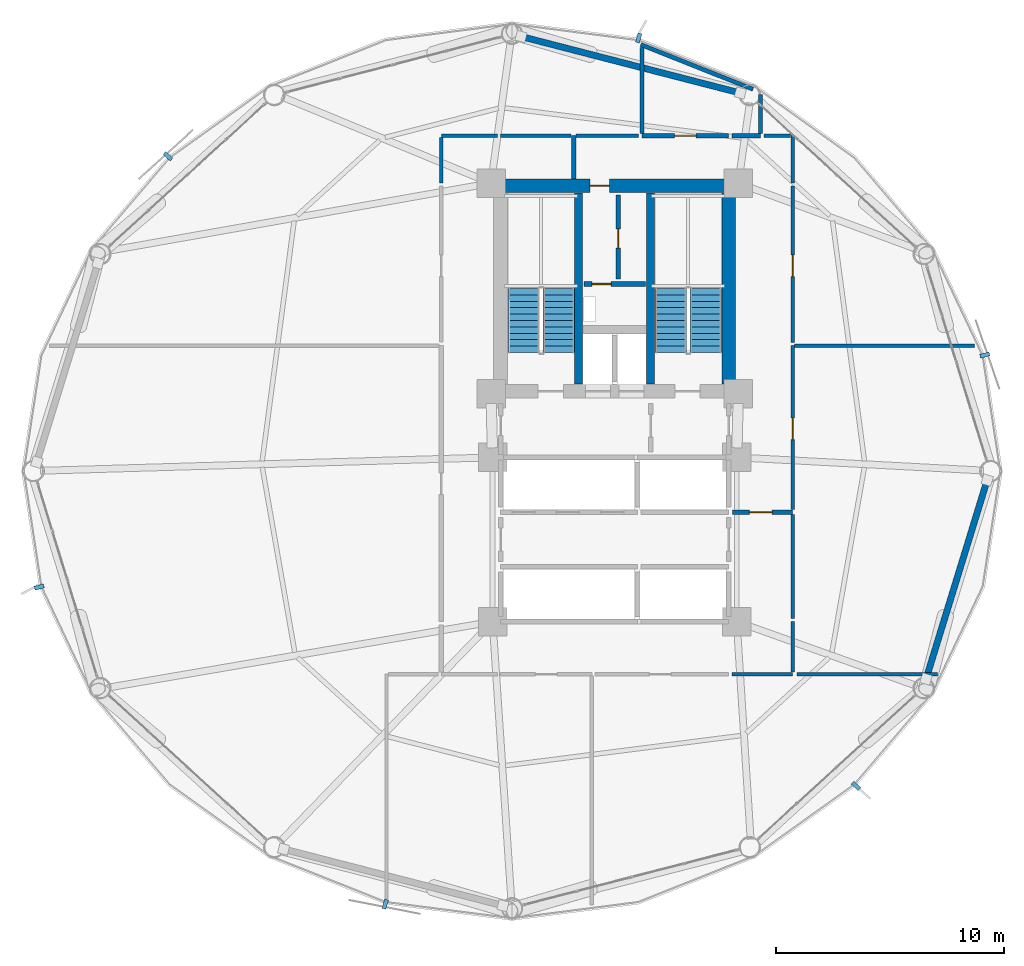
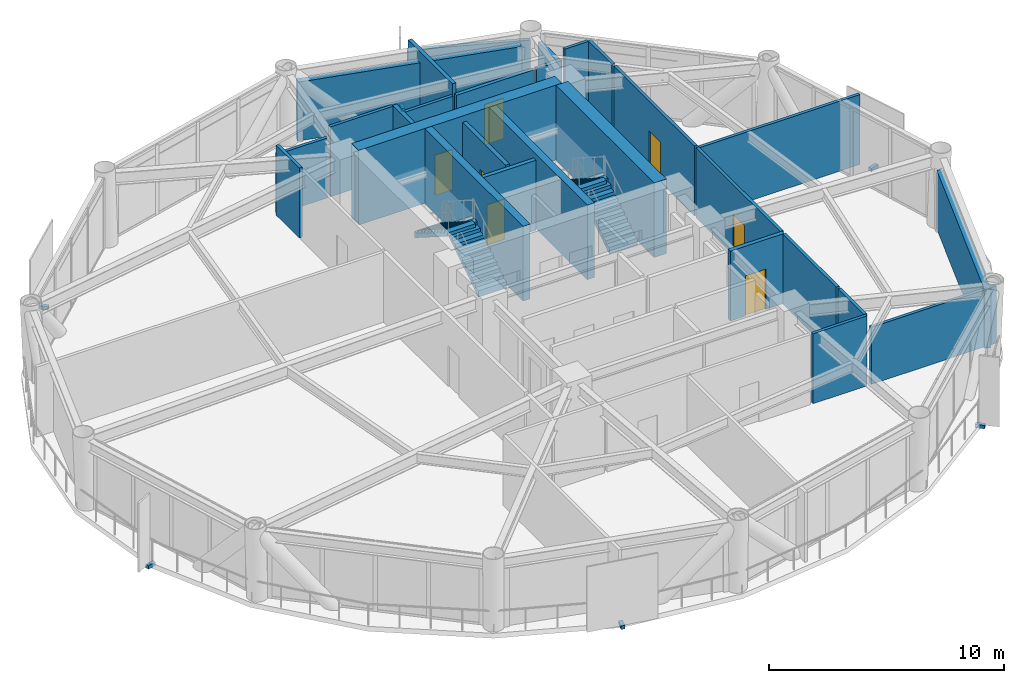
# One storey, part 23 of 26: 28 walls, 7 doors, 6 discrete accessories, 4 stair flights, 7 openings, 2 elements without a shape of their own.
"""IFC4 building model written with IfcOpenShell, lengths in metres."""

from ifc_helpers import new_model, si_unit, direction, frame, frame_2d, origin, origin_2d, place, context, subcontext, project, spatial, polyline, rectangle, outline, extrude, source, transform, mapped, material, layer, layer_set, type_object, type_shapes, element, fill, aggregate, save


model = new_model("IFC4")

# Units and contexts
model_context = context("Model", 3, precision=1e-05, world=origin(), true_north=direction((0.0, 1.0)))
body_context = subcontext(model_context, "Body", "Model", "MODEL_VIEW")
ifc_project = project(units=[si_unit("LENGTHUNIT", "METRE"), si_unit("AREAUNIT", "SQUARE_METRE"), si_unit("VOLUMEUNIT", "CUBIC_METRE"), si_unit("PLANEANGLEUNIT", "RADIAN"), si_unit("MASSUNIT", "GRAM", prefix="KILO")], contexts=[model_context])

# Site, building, storey
site_placement = place(None, origin())
site = spatial("IfcSite", under=ifc_project, at=site_placement, CompositionType="ELEMENT")
building_placement = place(site_placement, origin())
building = spatial("IfcBuilding", under=site, at=building_placement, Name="Varnakorn Sky Granary", CompositionType="ELEMENT")
storey_placement = place(building_placement, frame((0.0, 0.0, 47.10009765625)))
storey = spatial("IfcBuildingStorey", under=building, at=storey_placement, Name="L11", CompositionType="ELEMENT", Elevation=47.10009765625)

# Walls
ifc_material_1 = material(Name="Concrete C50/60", Category="concrete")
ifc_layer_1 = layer(ifc_material_1, 0.35009765625, Name="Concrete C50/60")
ifc_layer_set_1 = layer_set([ifc_layer_1], Name="Concrete C50/60")
wall_type_1 = type_object("IfcWallType", Name="WT-CW-INT-350", PredefinedType="SHEAR", material=ifc_layer_set_1)
for number, where, z_axis, x_axis, name in (
    (1, (1.419921875, 3.81005859375, 0.0), (0.0, 0.0, 1.0), (0.0, 1.0, 0.0), "Stair ST-1 Core Wall L11"),
    (2, (4.580078125, 3.81005859375, 0.0), (0.0, 0.0, 1.0), (0.0, 1.0, 0.0), "Stair ST-2 Core Wall L11"),
):
    element("IfcWall", number, at=place(storey_placement, frame(where, z_axis=z_axis, x_axis=x_axis)), inside=storey, type_object=wall_type_1, Name=name, PredefinedType="SHEAR", context=body_context, shape_type="SweptSolid", body=[
        extrude(rectangle(XDim=8.3798828125, YDim=0.35009765625, at=frame_2d((4.18994140625, 0.0))), origin(), (0.0, 0.0, 1.0), 3.891845703125),
    ])

# Wall, opening, door
ifc_material_2 = material(Name="Concrete C60/75", Category="concrete")
ifc_layer_2 = layer(ifc_material_2, 0.60009765625, Name="Concrete C60/75")
ifc_layer_set_2 = layer_set([ifc_layer_2], Name="Concrete C60/75")
wall_type_2 = type_object("IfcWallType", Name="WT-CW-SHEAR-600", PredefinedType="SHEAR", material=ifc_layer_set_2)
wall_1_placement = place(storey_placement, frame((-2.0, 12.5, 0.0), z_axis=(0.0, 0.0, 1.0), x_axis=(1.0, 0.0, 0.0)))
wall_1 = element("IfcWall", 3, at=wall_1_placement, inside=storey, type_object=wall_type_2, Name="Core North Shear Wall L11", PredefinedType="SHEAR", context=body_context, shape_type="SweptSolid", body=[
    extrude(rectangle(XDim=10.0, YDim=0.60009765625, at=frame_2d((5.0, 0.0))), origin(), (0.0, 0.0, 1.0), 3.891845703125),
])
opening_1_placement = place(wall_1_placement, frame((3.919921875, 0.0, 0.0)))
opening_1 = element("IfcOpeningElement", 4, at=opening_1_placement, cuts=wall_1, Name="Opening FD-60N", PredefinedType="OPENING", context=body_context, shape_type="SweptSolid", body=[
    extrude(rectangle(XDim=0.85009765625, YDim=2.10009765625, at=frame_2d((0.425048828125, 1.050048828125))), frame((0.0, 0.31005859375, 0.0), z_axis=(0.0, -1.0, 0.0), x_axis=(1.0, 0.0, 0.0)), (0.0, 0.0, 1.0), 0.6201171875),
])
ifc_material_3 = material(Name="Acoustic Timber Fire Leaf", Category="wood")
door_type_1 = type_object("IfcDoorType", Name="DR-FD60-850", OperationType="NOTDEFINED", PredefinedType="DOOR", material=ifc_material_3)
door_1_placement = place(opening_1_placement, origin())
door_1 = element("IfcDoor", 5, at=door_1_placement, inside=storey, type_object=door_type_1, Name="Core North Service Door L11", OperationType="SINGLE_SWING_LEFT", OverallHeight=2.10009765625, OverallWidth=0.85009765625, PredefinedType="DOOR", context=body_context, shape_type="SweptSolid", body=[
    extrude(rectangle(XDim=0.85009765625, YDim=2.10009765625, at=frame_2d((0.425048828125, 1.050048828125))), frame((0.0, 0.02490234375, 0.0), z_axis=(0.0, -1.0, 0.0), x_axis=(1.0, 0.0, 0.0)), (0.0, 0.0, 1.0), 0.050048828125),
])
fill(opening_1, door_1)

# Walls
wall_2_placement = place(storey_placement, frame((8.0, 3.81005859375, 0.0), z_axis=(0.0, 0.0, 1.0), x_axis=(0.0, 1.0, 0.0)))
element("IfcWall", 6, at=wall_2_placement, inside=storey, type_object=wall_type_2, Name="Core East Shear Wall L11", PredefinedType="SHEAR", context=body_context, shape_type="SweptSolid", body=[
    extrude(rectangle(XDim=8.3798828125, YDim=0.60009765625, at=frame_2d((4.18994140625, 0.0))), origin(), (0.0, 0.0, 1.0), 3.891845703125),
])
ifc_material_4 = material(Name="Precast concrete C40/50", Category="concrete")
ifc_layer_3 = layer(ifc_material_4, 0.280029296875, Name="Precast concrete C40/50")
ifc_layer_set_3 = layer_set([ifc_layer_3], Name="Precast concrete C40/50")
wall_type_3 = type_object("IfcWallType", Name="WT-EW-CRN-280", PredefinedType="SOLIDWALL", material=ifc_layer_set_3)
wall_3_placement = place(storey_placement, frame((-1.10107421875, 19.047119140625, 0.0), z_axis=(0.0, 0.0, 1.0), x_axis=(0.968352741178, -0.249585593843, 0.0)))
element("IfcWall", 7, at=wall_3_placement, inside=storey, type_object=wall_type_3, Name="Agritech Insulated Precast Facade Wall L11-P03", PredefinedType="SOLIDWALL", context=body_context, shape_type="SweptSolid", body=[
    extrude(rectangle(XDim=9.923583984375, YDim=0.280029296875, at=frame_2d((4.9619140625, 0.0))), origin(), (0.0, 0.0, 1.0), 3.059814453125),
])
wall_4_placement = place(storey_placement, frame((19.328857421875, -0.393798828125, 0.0), z_axis=(0.0, 0.0, 1.0), x_axis=(-0.293918478213, -0.955830491335, 0.0)))
element("IfcWall", 8, at=wall_4_placement, inside=storey, type_object=wall_type_3, Name="Agritech Insulated Precast Facade Wall L11-P12", PredefinedType="SOLIDWALL", context=body_context, shape_type="SweptSolid", body=[
    extrude(rectangle(XDim=9.123046875, YDim=0.280029296875, at=frame_2d((4.5615234375, 0.0))), origin(), (0.0, 0.0, 1.0), 3.059814453125),
])

# Wall, opening, door
ifc_material_5 = material(Name="Autoclaved Aerated Concrete Blockwork", Category="masonry")
ifc_layer_4 = layer(ifc_material_5, 0.199951171875, Name="Autoclaved Aerated Concrete Blockwork")
ifc_layer_set_4 = layer_set([ifc_layer_4], Name="Autoclaved Aerated Concrete Blockwork")
wall_type_4 = type_object("IfcWallType", Name="WT-FIRE-200", PredefinedType="MOVABLE", material=ifc_layer_set_4)
wall_5_placement = place(storey_placement, frame((1.64990234375, 8.199951171875, 0.0), z_axis=(0.0, 0.0, 1.0), x_axis=(1.0, 0.0, 0.0)))
wall_5 = element("IfcWall", 9, at=wall_5_placement, inside=storey, type_object=wall_type_4, Name="Interior Partition Wall L11-015", PredefinedType="MOVABLE", context=body_context, shape_type="SweptSolid", body=[
    extrude(rectangle(XDim=2.7001953125, YDim=0.199951171875, at=frame_2d((1.35009765625, 0.0))), origin(), (0.0, 0.0, 1.0), 3.639892578125),
])
opening_2_placement = place(wall_5_placement, frame((0.35009765625, 0.0, 0.0)))
opening_2 = element("IfcOpeningElement", 10, at=opening_2_placement, cuts=wall_5, Name="Opening FD-60N", PredefinedType="OPENING", context=body_context, shape_type="SweptSolid", body=[
    extrude(rectangle(XDim=0.85009765625, YDim=2.10009765625, at=frame_2d((0.425048828125, 1.050048828125))), frame((0.0, 0.10986328125, 0.0), z_axis=(0.0, -1.0, 0.0), x_axis=(1.0, 0.0, 0.0)), (0.0, 0.0, 1.0), 0.219970703125),
])
door_2_placement = place(opening_2_placement, origin())
door_2 = element("IfcDoor", 11, at=door_2_placement, inside=storey, type_object=door_type_1, Name="Interior Door L11-015-1", OperationType="SINGLE_SWING_RIGHT", OverallHeight=2.10009765625, OverallWidth=0.85009765625, PredefinedType="DOOR", context=body_context, shape_type="SweptSolid", body=[
    extrude(rectangle(XDim=0.85009765625, YDim=2.10009765625, at=frame_2d((0.425048828125, 1.050048828125))), frame((0.0, 0.02490234375, 0.0), z_axis=(0.0, -1.0, 0.0), x_axis=(1.0, 0.0, 0.0)), (0.0, 0.0, 1.0), 0.050048828125),
])
fill(opening_2, door_2)

wall_6_placement = place(storey_placement, frame((3.14990234375, 8.429931640625, 0.0), z_axis=(0.0, 0.0, 1.0), x_axis=(0.0, 1.0, 0.0)))
wall_6 = element("IfcWall", 12, at=wall_6_placement, inside=storey, type_object=wall_type_4, Name="Interior Partition Wall L11-016", PredefinedType="MOVABLE", context=body_context, shape_type="SweptSolid", body=[
    extrude(rectangle(XDim=3.670166015625, YDim=0.199951171875, at=frame_2d((1.8349609375, 0.0))), origin(), (0.0, 0.0, 1.0), 3.639892578125),
])
opening_3_placement = place(wall_6_placement, frame((1.340087890625, 0.0, 0.0)))
opening_3 = element("IfcOpeningElement", 13, at=opening_3_placement, cuts=wall_6, Name="Opening FD-60N", PredefinedType="OPENING", context=body_context, shape_type="SweptSolid", body=[
    extrude(rectangle(XDim=0.85009765625, YDim=2.10009765625, at=frame_2d((0.425048828125, 1.050048828125))), frame((0.0, 0.10986328125, 0.0), z_axis=(0.0, -1.0, 0.0), x_axis=(1.0, 0.0, 0.0)), (0.0, 0.0, 1.0), 0.219970703125),
])
door_3_placement = place(opening_3_placement, origin())
door_3 = element("IfcDoor", 14, at=door_3_placement, inside=storey, type_object=door_type_1, Name="Interior Door L11-016-1", OperationType="SINGLE_SWING_LEFT", OverallHeight=2.10009765625, OverallWidth=0.85009765625, PredefinedType="DOOR", context=body_context, shape_type="SweptSolid", body=[
    extrude(rectangle(XDim=0.85009765625, YDim=2.10009765625, at=frame_2d((0.425048828125, 1.050048828125))), frame((0.0, 0.02490234375, 0.0), z_axis=(0.0, -1.0, 0.0), x_axis=(1.0, 0.0, 0.0)), (0.0, 0.0, 1.0), 0.050048828125),
])
fill(opening_3, door_3)

wall_7_placement = place(storey_placement, frame((8.159912109375, -1.800048828125, 0.0), z_axis=(0.0, 0.0, 1.0), x_axis=(1.0, 0.0, 0.0)))
wall_7 = element("IfcWall", 15, at=wall_7_placement, inside=storey, type_object=wall_type_4, Name="Interior Partition Wall L11-022", PredefinedType="MOVABLE", context=body_context, shape_type="SweptSolid", body=[
    extrude(rectangle(XDim=2.64013671875, YDim=0.199951171875, at=frame_2d((1.320068359375, 0.0))), origin(), (0.0, 0.0, 1.0), 3.639892578125),
])
opening_4_placement = place(wall_7_placement, frame((0.739990234375, 0.0, 0.0)))
opening_4 = element("IfcOpeningElement", 16, at=opening_4_placement, cuts=wall_7, Name="Opening FD-60", PredefinedType="OPENING", context=body_context, shape_type="SweptSolid", body=[
    extrude(rectangle(XDim=1.0, YDim=2.10009765625, at=frame_2d((0.5, 1.050048828125))), frame((0.0, 0.10986328125, 0.0), z_axis=(0.0, -1.0, 0.0), x_axis=(1.0, 0.0, 0.0)), (0.0, 0.0, 1.0), 0.219970703125),
])
door_type_2 = type_object("IfcDoorType", Name="DR-FD60-1000", OperationType="NOTDEFINED", PredefinedType="DOOR", material=ifc_material_3)
door_4_placement = place(opening_4_placement, origin())
door_4 = element("IfcDoor", 17, at=door_4_placement, inside=storey, type_object=door_type_2, Name="Interior Door L11-022-1", OperationType="SINGLE_SWING_LEFT", OverallHeight=2.10009765625, OverallWidth=1.0, PredefinedType="DOOR", context=body_context, shape_type="SweptSolid", body=[
    extrude(rectangle(XDim=1.0, YDim=2.10009765625, at=frame_2d((0.5, 1.050048828125))), frame((0.0, 0.02490234375, 0.0), z_axis=(0.0, -1.0, 0.0), x_axis=(1.0, 0.0, 0.0)), (0.0, 0.0, 1.0), 0.050048828125),
])
fill(opening_4, door_4)

# Wall
wall_8_placement = place(storey_placement, frame((1.199951171875, 14.699951171875, 0.0), z_axis=(0.0, 0.0, 1.0), x_axis=(0.0, -1.0, 0.0)))
element("IfcWall", 18, at=wall_8_placement, inside=storey, type_object=wall_type_4, Name="Interior Partition Wall L11-031", PredefinedType="MOVABLE", context=body_context, shape_type="SweptSolid", body=[
    extrude(rectangle(XDim=1.889892578125, YDim=0.199951171875, at=frame_2d((0.94482421875, 0.0))), origin(), (0.0, 0.0, 1.0), 3.639892578125),
])

# Wall, opening, door
ifc_material_6 = material(Name="Gypsum Plasterboard on Steel Stud", Category="steel")
ifc_layer_5 = layer(ifc_material_6, 0.14990234375, Name="Gypsum Plasterboard on Steel Stud")
ifc_layer_set_5 = layer_set([ifc_layer_5], Name="Gypsum Plasterboard on Steel Stud")
wall_type_5 = type_object("IfcWallType", Name="WT-PART-150", PredefinedType="PARTITIONING", material=ifc_layer_set_5)
wall_9_placement = place(storey_placement, frame((10.800048828125, -1.68994140625, 0.0), z_axis=(0.0, 0.0, 1.0), x_axis=(0.0, 1.0, 0.0)))
wall_9 = element("IfcWall", 19, at=wall_9_placement, inside=storey, type_object=wall_type_5, Name="Interior Partition Wall L11-027", PredefinedType="PARTITIONING", context=body_context, shape_type="SweptSolid", body=[
    extrude(rectangle(XDim=7.18994140625, YDim=0.14990234375, at=frame_2d((3.594970703125, 0.0))), origin(), (0.0, 0.0, 1.0), 3.639892578125),
])
opening_5_placement = place(wall_9_placement, frame((3.06494140625, 0.0, 0.0)))
opening_5 = element("IfcOpeningElement", 20, at=opening_5_placement, cuts=wall_9, Name="Opening ID-95", PredefinedType="OPENING", context=body_context, shape_type="SweptSolid", body=[
    extrude(rectangle(XDim=0.949951171875, YDim=2.10009765625, at=frame_2d((0.47509765625, 1.050048828125))), frame((0.0, 0.0849609375, 0.0), z_axis=(0.0, -1.0, 0.0), x_axis=(1.0, 0.0, 0.0)), (0.0, 0.0, 1.0), 0.169921875),
])
ifc_material_7 = material(Name="Solid-Core Teak Veneer Leaf", Category="timber")
door_type_3 = type_object("IfcDoorType", Name="DR-INT-950", OperationType="NOTDEFINED", PredefinedType="DOOR", material=ifc_material_7)
door_5_placement = place(opening_5_placement, origin())
door_5 = element("IfcDoor", 21, at=door_5_placement, inside=storey, type_object=door_type_3, Name="Interior Door L11-027-1", OperationType="SINGLE_SWING_RIGHT", OverallHeight=2.10009765625, OverallWidth=0.949951171875, PredefinedType="DOOR", context=body_context, shape_type="SweptSolid", body=[
    extrude(rectangle(XDim=0.949951171875, YDim=2.10009765625, at=frame_2d((0.47509765625, 1.050048828125))), frame((0.0, 0.02490234375, 0.0), z_axis=(0.0, -1.0, 0.0), x_axis=(1.0, 0.0, 0.0)), (0.0, 0.0, 1.0), 0.050048828125),
])
fill(opening_5, door_5)

wall_10_placement = place(storey_placement, frame((10.800048828125, 5.635009765625, 0.0), z_axis=(0.0, 0.0, 1.0), x_axis=(0.0, 1.0, 0.0)))
wall_10 = element("IfcWall", 22, at=wall_10_placement, inside=storey, type_object=wall_type_5, Name="Interior Partition Wall L11-029", PredefinedType="PARTITIONING", context=body_context, shape_type="SweptSolid", body=[
    extrude(rectangle(XDim=6.864990234375, YDim=0.14990234375, at=frame_2d((3.4326171875, 0.0))), origin(), (0.0, 0.0, 1.0), 3.639892578125),
])
opening_6_placement = place(wall_10_placement, frame((2.889892578125, 0.0, 0.0)))
opening_6 = element("IfcOpeningElement", 23, at=opening_6_placement, cuts=wall_10, Name="Opening ID-95", PredefinedType="OPENING", context=body_context, shape_type="SweptSolid", body=[
    extrude(rectangle(XDim=0.949951171875, YDim=2.10009765625, at=frame_2d((0.47509765625, 1.050048828125))), frame((0.0, 0.0849609375, 0.0), z_axis=(0.0, -1.0, 0.0), x_axis=(1.0, 0.0, 0.0)), (0.0, 0.0, 1.0), 0.169921875),
])
door_6_placement = place(opening_6_placement, origin())
door_6 = element("IfcDoor", 24, at=door_6_placement, inside=storey, type_object=door_type_3, Name="Interior Door L11-029-1", OperationType="SINGLE_SWING_RIGHT", OverallHeight=2.10009765625, OverallWidth=0.949951171875, PredefinedType="DOOR", context=body_context, shape_type="SweptSolid", body=[
    extrude(rectangle(XDim=0.949951171875, YDim=2.10009765625, at=frame_2d((0.47509765625, 1.050048828125))), frame((0.0, 0.02490234375, 0.0), z_axis=(0.0, -1.0, 0.0), x_axis=(1.0, 0.0, 0.0)), (0.0, 0.0, 1.0), 0.050048828125),
])
fill(opening_6, door_6)

# Walls
wall_11_placement = place(storey_placement, frame((8.135009765625, -8.89990234375, 0.0), z_axis=(0.0, 0.0, 1.0), x_axis=(1.0, 0.0, 0.0)))
element("IfcWall", 25, at=wall_11_placement, inside=storey, type_object=wall_type_5, Name="Interior Partition Wall L11-037", PredefinedType="PARTITIONING", context=body_context, shape_type="SweptSolid", body=[
    extrude(rectangle(XDim=2.6650390625, YDim=0.14990234375, at=frame_2d((1.33251953125, 0.0))), origin(), (0.0, 0.0, 1.0), 3.639892578125),
])
wall_12_placement = place(storey_placement, frame((11.0, -8.89990234375, 0.0), z_axis=(0.0, 0.0, 1.0), x_axis=(1.0, 0.0, 0.0)))
element("IfcWall", 26, at=wall_12_placement, inside=storey, type_object=wall_type_5, Name="Interior Partition Wall L11-038", PredefinedType="PARTITIONING", context=body_context, shape_type="SweptSolid", body=[
    extrude(rectangle(XDim=6.156005859375, YDim=0.14990234375, at=frame_2d((3.078125, 0.0))), origin(), (0.0, 0.0, 1.0), 2.971923828125),
])
wall_13_placement = place(storey_placement, frame((10.800048828125, -8.81494140625, 0.0), z_axis=(0.0, 0.0, 1.0), x_axis=(0.0, 1.0, 0.0)))
element("IfcWall", 27, at=wall_13_placement, inside=storey, type_object=wall_type_5, Name="Interior Partition Wall L11-041", PredefinedType="PARTITIONING", context=body_context, shape_type="SweptSolid", body=[
    extrude(rectangle(XDim=2.21484375, YDim=0.14990234375, at=frame_2d((1.107421875, 0.0))), origin(), (0.0, 0.0, 1.0), 3.639892578125),
])
wall_14_placement = place(storey_placement, frame((10.800048828125, -6.465087890625, 0.0), z_axis=(0.0, 0.0, 1.0), x_axis=(0.0, 1.0, 0.0)))
element("IfcWall", 28, at=wall_14_placement, inside=storey, type_object=wall_type_5, Name="Interior Partition Wall L11-042", PredefinedType="PARTITIONING", context=body_context, shape_type="SweptSolid", body=[
    extrude(rectangle(XDim=4.55517578125, YDim=0.14990234375, at=frame_2d((2.277587890625, 0.0))), origin(), (0.0, 0.0, 1.0), 3.639892578125),
])
wall_15_placement = place(storey_placement, frame((10.885009765625, 5.5, 0.0), z_axis=(0.0, 0.0, 1.0), x_axis=(1.0, 0.0, 0.0)))
element("IfcWall", 29, at=wall_15_placement, inside=storey, type_object=wall_type_5, Name="Interior Partition Wall L11-043", PredefinedType="PARTITIONING", context=body_context, shape_type="SweptSolid", body=[
    extrude(rectangle(XDim=7.882080078125, YDim=0.14990234375, at=frame_2d((3.94091796875, 0.0))), origin(), (0.0, 0.0, 1.0), 3.639892578125),
])
wall_16_placement = place(storey_placement, frame((1.090087890625, 14.699951171875, 0.0), z_axis=(0.0, 0.0, 1.0), x_axis=(-1.0, 0.0, 0.0)))
element("IfcWall", 30, at=wall_16_placement, inside=storey, type_object=wall_type_5, Name="Interior Partition Wall L11-044", PredefinedType="PARTITIONING", context=body_context, shape_type="SweptSolid", body=[
    extrude(rectangle(XDim=3.090087890625, YDim=0.14990234375, at=frame_2d((1.544921875, 0.0))), origin(), (0.0, 0.0, 1.0), 3.639892578125),
])
wall_17_placement = place(storey_placement, frame((-2.135009765625, 14.699951171875, 0.0), z_axis=(0.0, 0.0, 1.0), x_axis=(-1.0, 0.0, 0.0)))
element("IfcWall", 31, at=wall_17_placement, inside=storey, type_object=wall_type_5, Name="Interior Partition Wall L11-045", PredefinedType="PARTITIONING", context=body_context, shape_type="SweptSolid", body=[
    extrude(rectangle(XDim=2.465087890625, YDim=0.14990234375, at=frame_2d((1.232421875, 0.0))), origin(), (0.0, 0.0, 1.0), 3.121826171875),
])
wall_18_placement = place(storey_placement, frame((-4.60009765625, 14.614990234375, 0.0), z_axis=(0.0, 0.0, 1.0), x_axis=(0.0, -1.0, 0.0)))
element("IfcWall", 32, at=wall_18_placement, inside=storey, type_object=wall_type_5, Name="Interior Partition Wall L11-046", PredefinedType="PARTITIONING", context=body_context, shape_type="SweptSolid", body=[
    extrude(rectangle(XDim=1.97998046875, YDim=0.14990234375, at=frame_2d((0.989990234375, 0.0))), origin(), (0.0, 0.0, 1.0), 3.639892578125),
])
wall_19_placement = place(storey_placement, frame((4.050048828125, 14.699951171875, 0.0), z_axis=(0.0, 0.0, 1.0), x_axis=(-1.0, 0.0, 0.0)))
element("IfcWall", 33, at=wall_19_placement, inside=storey, type_object=wall_type_5, Name="Interior Partition Wall L11-047", PredefinedType="PARTITIONING", context=body_context, shape_type="SweptSolid", body=[
    extrude(rectangle(XDim=2.739990234375, YDim=0.14990234375, at=frame_2d((1.3701171875, 0.0))), origin(), (0.0, 0.0, 1.0), 3.121826171875),
])
wall_20_placement = place(storey_placement, frame((10.800048828125, 12.635009765625, 0.0), z_axis=(0.0, 0.0, 1.0), x_axis=(0.0, 1.0, 0.0)))
element("IfcWall", 34, at=wall_20_placement, inside=storey, type_object=wall_type_5, Name="Interior Partition Wall L11-050", PredefinedType="PARTITIONING", context=body_context, shape_type="SweptSolid", body=[
    extrude(rectangle(XDim=2.06494140625, YDim=0.14990234375, at=frame_2d((1.032470703125, 0.0))), origin(), (0.0, 0.0, 1.0), 3.639892578125),
])
wall_21_placement = place(storey_placement, frame((10.715087890625, 14.699951171875, 0.0), z_axis=(0.0, 0.0, 1.0), x_axis=(-1.0, 0.0, 0.0)))
element("IfcWall", 35, at=wall_21_placement, inside=storey, type_object=wall_type_5, Name="Interior Partition Wall L11-051", PredefinedType="PARTITIONING", context=body_context, shape_type="SweptSolid", body=[
    extrude(rectangle(XDim=1.1650390625, YDim=0.14990234375, at=frame_2d((0.58251953125, 0.0))), origin(), (0.0, 0.0, 1.0), 3.639892578125),
])

# Wall, opening, door
ifc_material_8 = material(Name="Moisture-Resistant Gypsum on Stud", Category="gypsum")
ifc_layer_6 = layer(ifc_material_8, 0.179931640625, Name="Moisture-Resistant Gypsum on Stud")
ifc_layer_set_6 = layer_set([ifc_layer_6], Name="Moisture-Resistant Gypsum on Stud")
wall_type_6 = type_object("IfcWallType", Name="WT-PLUMB-180", PredefinedType="PLUMBINGWALL", material=ifc_layer_set_6)
wall_22_placement = place(storey_placement, frame((8.0, 14.699951171875, 0.0), z_axis=(0.0, 0.0, 1.0), x_axis=(-1.0, 0.0, 0.0)))
wall_22 = element("IfcWall", 36, at=wall_22_placement, inside=storey, type_object=wall_type_6, Name="Interior Partition Wall L11-023", PredefinedType="PLUMBINGWALL", context=body_context, shape_type="SweptSolid", body=[
    extrude(rectangle(XDim=3.800048828125, YDim=0.179931640625, at=frame_2d((1.89990234375, 0.0))), origin(), (0.0, 0.0, 1.0), 3.121826171875),
])
opening_7_placement = place(wall_22_placement, frame((1.425048828125, 0.0, 0.0)))
opening_7 = element("IfcOpeningElement", 37, at=opening_7_placement, cuts=wall_22, Name="Opening ID-95", PredefinedType="OPENING", context=body_context, shape_type="SweptSolid", body=[
    extrude(rectangle(XDim=0.949951171875, YDim=2.10009765625, at=frame_2d((0.47509765625, 1.050048828125))), frame((0.0, 0.10009765625, 0.0), z_axis=(0.0, -1.0, 0.0), x_axis=(1.0, 0.0, 0.0)), (0.0, 0.0, 1.0), 0.199951171875),
])
door_7_placement = place(opening_7_placement, origin())
door_7 = element("IfcDoor", 38, at=door_7_placement, inside=storey, type_object=door_type_3, Name="Interior Door L11-023-1", OperationType="SINGLE_SWING_RIGHT", OverallHeight=2.10009765625, OverallWidth=0.949951171875, PredefinedType="DOOR", context=body_context, shape_type="SweptSolid", body=[
    extrude(rectangle(XDim=0.949951171875, YDim=2.10009765625, at=frame_2d((0.47509765625, 1.050048828125))), frame((0.0, 0.02490234375, 0.0), z_axis=(0.0, -1.0, 0.0), x_axis=(1.0, 0.0, 0.0)), (0.0, 0.0, 1.0), 0.050048828125),
])
fill(opening_7, door_7)

# Walls
wall_23_placement = place(storey_placement, frame((9.39990234375, 14.699951171875, 0.0), z_axis=(0.0, 0.0, 1.0), x_axis=(-1.0, 0.0, 0.0)))
element("IfcWall", 39, at=wall_23_placement, inside=storey, type_object=wall_type_6, Name="Interior Partition Wall L11-032", PredefinedType="PLUMBINGWALL", context=body_context, shape_type="SweptSolid", body=[
    extrude(rectangle(XDim=1.25, YDim=0.179931640625, at=frame_2d((0.625, 0.0))), origin(), (0.0, 0.0, 1.0), 3.121826171875),
])
wall_24_placement = place(storey_placement, frame((4.14404296875, 18.69189453125, 0.0), z_axis=(0.0, 0.0, 1.0), x_axis=(0.929216081758, -0.369536836327, 0.0)))
element("IfcWall", 40, at=wall_24_placement, inside=storey, type_object=wall_type_6, Name="Interior Partition Wall L11-048", PredefinedType="PLUMBINGWALL", context=body_context, shape_type="SweptSolid", body=[
    extrude(rectangle(XDim=5.29248046875, YDim=0.179931640625, at=frame_2d((2.646240234375, 0.0))), origin(), (0.0, 0.0, 1.0), 3.072021484375),
])
wall_25_placement = place(storey_placement, frame((4.199951171875, 18.570068359375, 0.0), z_axis=(0.0, 0.0, 1.0), x_axis=(0.0, -1.0, 0.0)))
element("IfcWall", 41, at=wall_25_placement, inside=storey, type_object=wall_type_6, Name="Interior Partition Wall L11-049", PredefinedType="PLUMBINGWALL", context=body_context, shape_type="SweptSolid", body=[
    extrude(rectangle(XDim=3.77001953125, YDim=0.179931640625, at=frame_2d((1.885009765625, 0.0))), origin(), (0.0, 0.0, 1.0), 3.639892578125),
])
wall_26_placement = place(storey_placement, frame((9.39990234375, 14.800048828125, 0.0), z_axis=(0.0, 0.0, 1.0), x_axis=(0.0, 1.0, 0.0)))
element("IfcWall", 42, at=wall_26_placement, inside=storey, type_object=wall_type_6, Name="Interior Partition Wall L11-052", PredefinedType="PLUMBINGWALL", context=body_context, shape_type="SweptSolid", body=[
    extrude(rectangle(XDim=1.695068359375, YDim=0.179931640625, at=frame_2d((0.84765625, 0.0))), origin(), (0.0, 0.0, 1.0), 2.971923828125),
])

# Stair, stair flights
ifc_material_9 = material(Name="Concrete C40/50", Category="concrete")
stair_type = type_object("IfcStairType", Name="ST-MAIN-ASSEMBLY", PredefinedType="HALF_TURN_STAIR", material=ifc_material_9)
stair_1_placement = place(storey_placement, origin())
stair_1 = element("IfcStair", 43, at=stair_1_placement, inside=storey, type_object=stair_type, Name="L11 Protected Exit Stair ST-1", PredefinedType="HALF_TURN_STAIR")
stair_flight_type = type_object("IfcStairFlightType", Name="ST-MAIN-FLIGHT", PredefinedType="STRAIGHT", material=ifc_material_9)
stair_flight_1_placement = place(storey_placement, frame((0.550048828125, 5.199951171875, 0.0), z_axis=(0.0, 0.0, 1.0), x_axis=(0.0, 1.0, 0.0)))
stair_flight_1 = element("IfcStairFlight", 44, at=stair_flight_1_placement, type_object=stair_flight_type, Name="ST-1 flight 1", NumberOfRisers=11, NumberOfTreads=10, PredefinedType="STRAIGHT", RiserHeight=0.177272727, TreadLength=0.28, context=body_context, shape_type="SweptSolid", body=[
    extrude(outline(polyline([(0.0, -0.14990234375), (0.0, 0.0), (0.0, 0.17724609375), (0.280029296875, 0.17724609375), (0.280029296875, 0.3544921875), (0.56005859375, 0.3544921875), (0.56005859375, 0.53173828125), (0.840087890625, 0.53173828125), (0.840087890625, 0.708984375), (1.1201171875, 0.708984375), (1.1201171875, 0.886474609375), (1.39990234375, 0.886474609375), (1.39990234375, 1.063720703125), (1.679931640625, 1.063720703125), (1.679931640625, 1.240966796875), (1.9599609375, 1.240966796875), (1.9599609375, 1.418212890625), (2.239990234375, 1.418212890625), (2.239990234375, 1.595458984375), (2.52001953125, 1.595458984375), (2.52001953125, 1.772705078125), (2.800048828125, 1.772705078125), (2.800048828125, 1.949951171875), (2.800048828125, 1.59521484375), (0.050048828125, -0.14990234375), (0.0, -0.14990234375)])), frame((0.0, 0.68994140625, 0.0), z_axis=(0.0, -1.0, 0.0), x_axis=(1.0, 0.0, 0.0)), (0.0, 0.0, 1.0), 1.3798828125),
])
stair_flight_2_placement = place(storey_placement, frame((-0.97998046875, 8.0, 1.949951171875), z_axis=(0.0, 0.0, 1.0), x_axis=(0.0, -1.0, 0.0)))
stair_flight_2 = element("IfcStairFlight", 45, at=stair_flight_2_placement, type_object=stair_flight_type, Name="ST-1 flight 2", NumberOfRisers=11, NumberOfTreads=10, PredefinedType="STRAIGHT", RiserHeight=0.177272727, TreadLength=0.28, context=body_context, shape_type="SweptSolid", body=[
    extrude(outline(polyline([(0.0, -0.14990234375), (0.0, 0.0), (0.0, 0.17724609375), (0.280029296875, 0.17724609375), (0.280029296875, 0.3544921875), (0.56005859375, 0.3544921875), (0.56005859375, 0.53173828125), (0.840087890625, 0.53173828125), (0.840087890625, 0.708984375), (1.1201171875, 0.708984375), (1.1201171875, 0.886474609375), (1.39990234375, 0.886474609375), (1.39990234375, 1.063720703125), (1.679931640625, 1.063720703125), (1.679931640625, 1.240966796875), (1.9599609375, 1.240966796875), (1.9599609375, 1.418212890625), (2.239990234375, 1.418212890625), (2.239990234375, 1.595458984375), (2.52001953125, 1.595458984375), (2.52001953125, 1.772705078125), (2.800048828125, 1.772705078125), (2.800048828125, 1.949951171875), (2.800048828125, 1.59521484375), (0.050048828125, -0.14990234375), (0.0, -0.14990234375)])), frame((0.0, 0.68994140625, 0.0), z_axis=(0.0, -1.0, 0.0), x_axis=(1.0, 0.0, 0.0)), (0.0, 0.0, 1.0), 1.3798828125),
])
aggregate(stair_1, [stair_flight_1, stair_flight_2])

stair_2_placement = place(storey_placement, origin())
stair_2 = element("IfcStair", 46, at=stair_2_placement, inside=storey, type_object=stair_type, Name="L11 Protected Exit Stair ST-2", PredefinedType="HALF_TURN_STAIR")
stair_flight_3_placement = place(storey_placement, frame((6.989990234375, 5.199951171875, 0.0), z_axis=(0.0, 0.0, 1.0), x_axis=(0.0, 1.0, 0.0)))
stair_flight_3 = element("IfcStairFlight", 47, at=stair_flight_3_placement, type_object=stair_flight_type, Name="ST-2 flight 1", NumberOfRisers=11, NumberOfTreads=10, PredefinedType="STRAIGHT", RiserHeight=0.177272727, TreadLength=0.28, context=body_context, shape_type="SweptSolid", body=[
    extrude(outline(polyline([(0.0, -0.14990234375), (0.0, 0.0), (0.0, 0.17724609375), (0.280029296875, 0.17724609375), (0.280029296875, 0.3544921875), (0.56005859375, 0.3544921875), (0.56005859375, 0.53173828125), (0.840087890625, 0.53173828125), (0.840087890625, 0.708984375), (1.1201171875, 0.708984375), (1.1201171875, 0.886474609375), (1.39990234375, 0.886474609375), (1.39990234375, 1.063720703125), (1.679931640625, 1.063720703125), (1.679931640625, 1.240966796875), (1.9599609375, 1.240966796875), (1.9599609375, 1.418212890625), (2.239990234375, 1.418212890625), (2.239990234375, 1.595458984375), (2.52001953125, 1.595458984375), (2.52001953125, 1.772705078125), (2.800048828125, 1.772705078125), (2.800048828125, 1.949951171875), (2.800048828125, 1.59521484375), (0.050048828125, -0.14990234375), (0.0, -0.14990234375)])), frame((0.0, 0.68994140625, 0.0), z_axis=(0.0, -1.0, 0.0), x_axis=(1.0, 0.0, 0.0)), (0.0, 0.0, 1.0), 1.3798828125),
])
stair_flight_4_placement = place(storey_placement, frame((5.4599609375, 8.0, 1.949951171875), z_axis=(0.0, 0.0, 1.0), x_axis=(0.0, -1.0, 0.0)))
stair_flight_4 = element("IfcStairFlight", 48, at=stair_flight_4_placement, type_object=stair_flight_type, Name="ST-2 flight 2", NumberOfRisers=11, NumberOfTreads=10, PredefinedType="STRAIGHT", RiserHeight=0.177272727, TreadLength=0.28, context=body_context, shape_type="SweptSolid", body=[
    extrude(outline(polyline([(0.0, -0.14990234375), (0.0, 0.0), (0.0, 0.17724609375), (0.280029296875, 0.17724609375), (0.280029296875, 0.3544921875), (0.56005859375, 0.3544921875), (0.56005859375, 0.53173828125), (0.840087890625, 0.53173828125), (0.840087890625, 0.708984375), (1.1201171875, 0.708984375), (1.1201171875, 0.886474609375), (1.39990234375, 0.886474609375), (1.39990234375, 1.063720703125), (1.679931640625, 1.063720703125), (1.679931640625, 1.240966796875), (1.9599609375, 1.240966796875), (1.9599609375, 1.418212890625), (2.239990234375, 1.418212890625), (2.239990234375, 1.595458984375), (2.52001953125, 1.595458984375), (2.52001953125, 1.772705078125), (2.800048828125, 1.772705078125), (2.800048828125, 1.949951171875), (2.800048828125, 1.59521484375), (0.050048828125, -0.14990234375), (0.0, -0.14990234375)])), frame((0.0, 0.68994140625, 0.0), z_axis=(0.0, -1.0, 0.0), x_axis=(1.0, 0.0, 0.0)), (0.0, 0.0, 1.0), 1.3798828125),
])
aggregate(stair_2, [stair_flight_3, stair_flight_4])

# Discrete accessories
ifc_material_10 = material(Name="Steel S355JR", Category="steel")
discrete_accessory_type = type_object("IfcDiscreteAccessoryType", Name="AC-BRK-01", PredefinedType="BRACKET", material=ifc_material_10)
shared_shape = source(origin(), body_context, "Body", "SweptSolid", [
    extrude(rectangle(XDim=0.179931640625, YDim=0.419921875, at=origin_2d()), origin(), (0.0, 0.0, 1.0), 0.179931640625),
])
type_shapes(discrete_accessory_type, [shared_shape])
for number, where, z_axis, x_axis, name in (
    (49, (19.224609375, 5.084716796875, -0.2001953125), (0.0, 0.0, 1.0), (-0.238275206251, 0.971197676112, 0.0), "Facade Solar-Screen Outrigger Bracket L11-01"),
    (50, (4.0556640625, 18.984619140625, -0.2001953125), (0.0, 0.0, 1.0), (-0.959749078129, 0.280858873868, 0.0), "Facade Solar-Screen Outrigger Bracket L11-03"),
    (51, (-16.5791015625, 13.798828125, -0.2001953125), (0.0, 0.0, 1.0), (-0.675093939752, -0.737731775451, 0.0), "Facade Solar-Screen Outrigger Bracket L11-05"),
    (52, (-22.224609375, -5.084716796875, -0.2001953125), (0.0, 0.0, 1.0), (0.238275206251, -0.971197676112, 0.0), "Facade Solar-Screen Outrigger Bracket L11-07"),
    (53, (-7.0556640625, -18.984619140625, -0.2001953125), (0.0, 0.0, 1.0), (0.959749078129, -0.280858873868, 0.0), "Facade Solar-Screen Outrigger Bracket L11-09"),
    (54, (13.5791015625, -13.798828125, -0.2001953125), (0.0, 0.0, 1.0), (0.675093939752, 0.737731775451, 0.0), "Facade Solar-Screen Outrigger Bracket L11-11"),
):
    element("IfcDiscreteAccessory", number, at=place(storey_placement, frame(where, z_axis=z_axis, x_axis=x_axis)), inside=storey, type_object=discrete_accessory_type, Name=name, PredefinedType="BRACKET", context=body_context, shape_type="MappedRepresentation", body=[
        mapped(shared_shape, transform((0.0, 0.0, 0.0), x_axis=(1.0, 0.0, 0.0), y_axis=(0.0, 1.0, 0.0), z_axis=(0.0, 0.0, 1.0), scale=1.0)),
    ])

save(model, "model.ifc")
